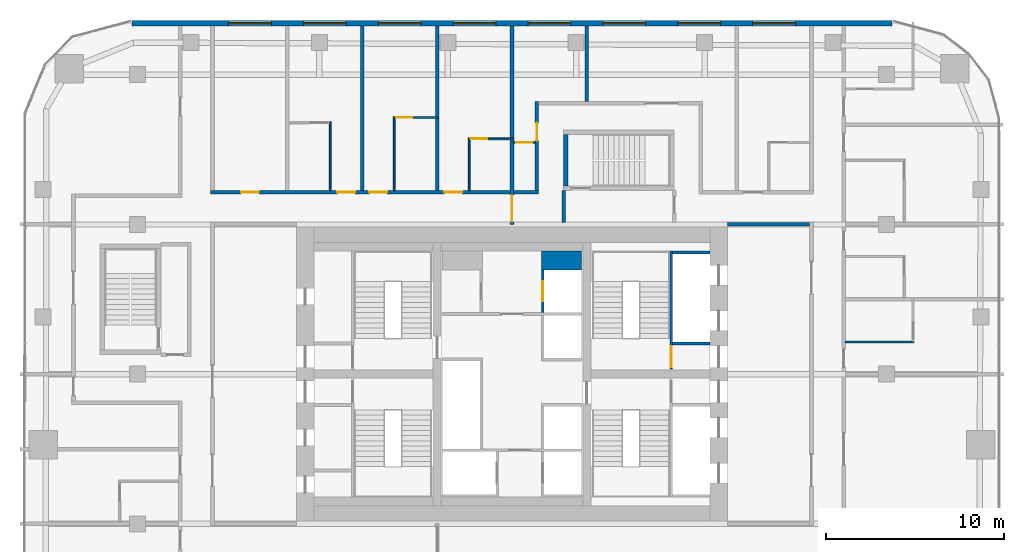
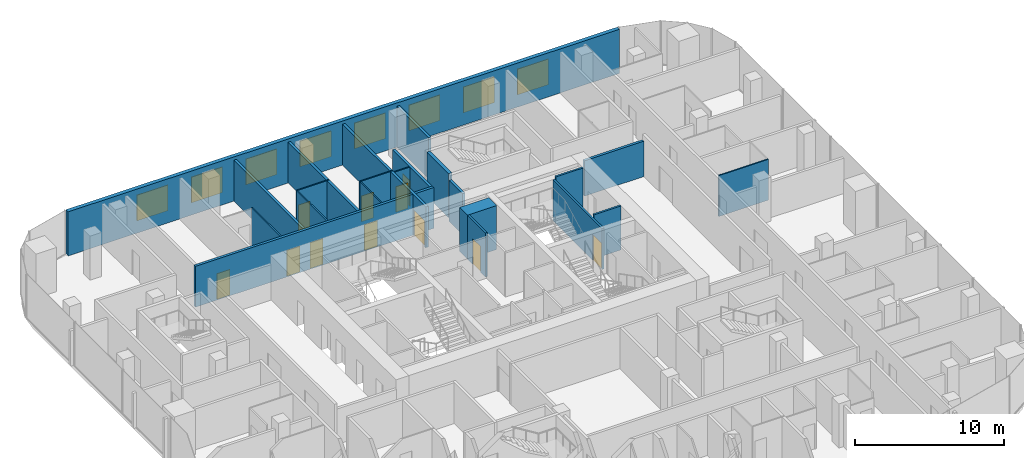
# One storey, part 19 of 23: 22 walls, 11 doors, 8 windows, 19 openings.
"""IFC4 building model written with IfcOpenShell, lengths in metres."""

import ifcopenshell
import ifcopenshell.guid

model = None  # the IFC model being written
_history = None  # IfcOwnerHistory: only IFC2X3 demands one
_inside = {}  # id of a spatial element -> (the spatial element, [elements in it])
_under = {}  # id of a project, library or spatial element -> (it, [spatial elements below it])
_declared = {}  # id of a project -> (the project, [libraries it declares])
_typed = {}  # id of a type object -> (the type object, [elements of that type])
_made_of = {}  # id of a material, layer set ... -> (it, [elements and type objects made of it])


def new_model(schema):
    """Start an empty IFC model of exactly this schema.

    Asked for "IFC4X3", IfcOpenShell would pick the latest addendum, in which some entities
    have other attributes; the version numbers below select the first issue.
    IFC2X3 requires an IfcOwnerHistory on every rooted entity: one is made here for all.
    """
    global model, _history
    if schema == "IFC4X3":
        model = ifcopenshell.file(schema_version=(4, 3, 0, 0))
    else:
        model = ifcopenshell.file(schema=schema)
    _inside.clear()
    _under.clear()
    _declared.clear()
    _typed.clear()
    _made_of.clear()
    _history = None
    if model.schema == "IFC2X3":
        org = make("IfcOrganization", Name="unknown")
        user = make(
            "IfcPersonAndOrganization",
            ThePerson=make("IfcPerson", FamilyName="unknown"),
            TheOrganization=org,
        )
        app = make(
            "IfcApplication",
            ApplicationDeveloper=org,
            Version="unknown",
            ApplicationFullName="unknown",
            ApplicationIdentifier="unknown",
        )
        _history = make(
            "IfcOwnerHistory",
            OwningUser=user,
            OwningApplication=app,
            ChangeAction="ADDED",
            CreationDate=0,
        )
    return model


def make(cls, **values):
    """One entity of the class cls with the attributes given. An attribute that is None is left unset."""
    return model.create_entity(
        cls, **{name: value for name, value in values.items() if value is not None}
    )


def rooted(cls, **values):
    """An entity with a GlobalId (a new one), such as an element, a storey or a relation."""
    return make(cls, GlobalId=ifcopenshell.guid.new(), OwnerHistory=_history, **values)


def si_unit(unit_type, name, prefix=None):
    """IfcSIUnit, for example si_unit("LENGTHUNIT", "METRE", prefix="MILLI")."""
    return make("IfcSIUnit", UnitType=unit_type, Prefix=prefix, Name=name)


def assignment(units):
    """IfcUnitAssignment: the units of a project."""
    return None if units is None else make("IfcUnitAssignment", Units=units)


def point(xyz):
    """IfcCartesianPoint."""
    return None if xyz is None else make("IfcCartesianPoint", Coordinates=xyz)


def direction(xyz):
    """IfcDirection."""
    return None if xyz is None else make("IfcDirection", DirectionRatios=xyz)


def frame(location, z_axis=None, x_axis=None):
    """IfcAxis2Placement3D, a coordinate frame: its origin and axes. An axis left out is left unset."""
    return make(
        "IfcAxis2Placement3D",
        Location=point(location),
        Axis=direction(z_axis),
        RefDirection=direction(x_axis),
    )


def frame_2d(location, x_axis=None):
    """IfcAxis2Placement2D, a coordinate frame in the plane: its origin and x axis."""
    return make(
        "IfcAxis2Placement2D", Location=point(location), RefDirection=direction(x_axis)
    )


def origin():
    """The frame at (0, 0, 0) with its axes left unset."""
    return frame((0.0, 0.0, 0.0))


def place(relative_to, where):
    """IfcLocalPlacement: puts the frame where relative to a parent placement (None: the world)."""
    return make(
        "IfcLocalPlacement", PlacementRelTo=relative_to, RelativePlacement=where
    )


def context(
    kind, dimensions, precision=None, world=None, true_north=None, identifier=None
):
    """IfcGeometricRepresentationContext, for example the 3D "Model" context."""
    return make(
        "IfcGeometricRepresentationContext",
        ContextIdentifier=identifier,
        ContextType=kind,
        CoordinateSpaceDimension=dimensions,
        Precision=precision,
        WorldCoordinateSystem=world,
        TrueNorth=true_north,
    )


def subcontext(parent, identifier, kind, view, scale=None):
    """IfcGeometricRepresentationSubContext, for example "Body" below "Model"."""
    return make(
        "IfcGeometricRepresentationSubContext",
        ContextIdentifier=identifier,
        ContextType=kind,
        ParentContext=parent,
        TargetScale=scale,
        TargetView=view,
    )


def project(units=None, contexts=None):
    """IfcProject with its units and contexts."""
    return rooted(
        "IfcProject",
        Name="project",
        RepresentationContexts=contexts,
        UnitsInContext=assignment(units),
    )


def spatial(cls, under=None, at=None, **own):
    """A site, building, storey or space (cls), placed at a placement, below another one or the project."""
    s = rooted(cls, ObjectPlacement=at, **own)
    if under is not None:
        _under.setdefault(under.id(), (under, []))[1].append(s)
    return s


def profile(cls, at=None, kind="AREA", **sizes):
    """A parametric profile (cls). Its sizes go by their IFC names, for example OverallWidth=200.0."""
    return make(cls, ProfileType=kind, Position=at, **sizes)


def rectangle(**sizes):
    """IfcRectangleProfileDef."""
    return profile("IfcRectangleProfileDef", **sizes)


def extrude(swept, where, along, depth):
    """IfcExtrudedAreaSolid: the profile swept, set in the frame where, extruded along a direction by depth."""
    return make(
        "IfcExtrudedAreaSolid",
        SweptArea=swept,
        Position=where,
        ExtrudedDirection=direction(along),
        Depth=depth,
    )


def shape(context_of_items, identifier, shape_type, items):
    """IfcShapeRepresentation: the items that make up one representation, for example the "Body"."""
    return make(
        "IfcShapeRepresentation",
        ContextOfItems=context_of_items,
        RepresentationIdentifier=identifier,
        RepresentationType=shape_type,
        Items=items,
    )


def material(Name=None, Category=None):
    """IfcMaterial."""
    return make("IfcMaterial", Name=Name, Category=Category)


def layer(
    of_material, thickness, ventilated=None, Name=None, Category=None, Priority=None
):
    """IfcMaterialLayer: one layer of a wall or slab, of a material (None: an air gap)."""
    return make(
        "IfcMaterialLayer",
        Material=of_material,
        LayerThickness=thickness,
        IsVentilated=ventilated,
        Name=Name,
        Category=Category,
        Priority=Priority,
    )


def layer_set(layers, Name=None):
    """IfcMaterialLayerSet."""
    return make("IfcMaterialLayerSet", MaterialLayers=layers, LayerSetName=Name)


def made_of(thing, what):
    """Note that an element or type object is made of a material, layer set ...; save() writes the relation."""
    if what is not None:
        _made_of.setdefault(what.id(), (what, []))[1].append(thing)
    return thing


def type_object(cls, material=None, **own):
    """A type object (cls), such as IfcWallType, which elements share."""
    return made_of(rooted(cls, **own), material)


def element(
    cls,
    number,
    at=None,
    inside=None,
    cuts=None,
    type_object=None,
    material=None,
    context=None,
    identifier="Body",
    shape_type=None,
    held_by="IfcProductDefinitionShape",
    body=None,
    shapes=None,
    **own,
):
    """One element of the class cls, such as IfcWall. Its Tag is "e" and its number.

    at: its placement. inside: the storey or other place that contains it. cuts: it is an
    opening in that element (IfcRelVoidsElement). A single representation is given by context,
    identifier, shape_type and body (its items); several are given by shapes. held_by: the class
    of the entity that holds the representations. save() writes the other relations.
    """
    e = rooted(cls, Tag="e%d" % number, ObjectPlacement=at, **own)
    if body is not None:
        shapes = [shape(context, identifier, shape_type, body)]
    if shapes is not None:
        e.Representation = make(held_by, Representations=shapes)
    if inside is not None:
        _inside.setdefault(inside.id(), (inside, []))[1].append(e)
    if cuts is not None:
        rooted(
            "IfcRelVoidsElement", RelatingBuildingElement=cuts, RelatedOpeningElement=e
        )
    if type_object is not None:
        _typed.setdefault(type_object.id(), (type_object, []))[1].append(e)
    return made_of(e, material)


def fill(opening, filler):
    """IfcRelFillsElement: the door or window that sits in an opening."""
    return rooted(
        "IfcRelFillsElement",
        RelatingOpeningElement=opening,
        RelatedBuildingElement=filler,
    )


def aggregate(whole, parts):
    """IfcRelAggregates: a whole, such as a stair, and the parts it consists of."""
    return rooted("IfcRelAggregates", RelatingObject=whole, RelatedObjects=parts)


def save(model, path):
    """Write the relations noted so far, then the file.

    IfcRelAggregates (storeys below a building ...), IfcRelContainedInSpatialStructure (elements
    in a storey), IfcRelDefinesByType, IfcRelAssociatesMaterial and IfcRelDeclares: one each for
    every whole, place, type object, material and project.
    """
    for whole, parts in _under.values():
        aggregate(whole, parts)
    for where, things in _inside.values():
        rooted(
            "IfcRelContainedInSpatialStructure",
            RelatedElements=things,
            RelatingStructure=where,
        )
    for kind, things in _typed.values():
        rooted("IfcRelDefinesByType", RelatedObjects=things, RelatingType=kind)
    for what, things in _made_of.values():
        rooted("IfcRelAssociatesMaterial", RelatedObjects=things, RelatingMaterial=what)
    for by, libraries in _declared.values():
        rooted("IfcRelDeclares", RelatingContext=by, RelatedDefinitions=libraries)
    model.write(path)


model = new_model("IFC4")

# Units and contexts
model_context = context("Model", 3, precision=1e-05, world=origin(), true_north=direction((0.0, 1.0)))
body_context = subcontext(model_context, "Body", "Model", "MODEL_VIEW")
ifc_project = project(units=[si_unit("LENGTHUNIT", "METRE"), si_unit("AREAUNIT", "SQUARE_METRE"), si_unit("VOLUMEUNIT", "CUBIC_METRE"), si_unit("PLANEANGLEUNIT", "RADIAN"), si_unit("MASSUNIT", "GRAM", prefix="KILO")], contexts=[model_context])

# Site, building, storey
site_placement = place(None, origin())
site = spatial("IfcSite", under=ifc_project, at=site_placement, CompositionType="ELEMENT")
building_placement = place(site_placement, origin())
building = spatial("IfcBuilding", under=site, at=building_placement, Name="Marenta Gate Hotel Tower", CompositionType="ELEMENT")
storey_placement = place(building_placement, frame((0.0, 0.0, 112.10009765625)))
storey = spatial("IfcBuildingStorey", under=building, at=storey_placement, Name="L24", CompositionType="ELEMENT", Elevation=112.10009765625)

# Wall, openings, windows
ifc_material_1 = material(Name="Concrete C40 board-marked", Category="concrete")
ifc_layer_1 = layer(ifc_material_1, 0.300048828125)
ifc_layer_set_1 = layer_set([ifc_layer_1], Name="Concrete C40 board-marked")
wall_type_1 = type_object("IfcWallType", Name="Board-marked concrete wall 300 mm", PredefinedType="NOTDEFINED", material=ifc_layer_set_1)
wall_1_placement = place(storey_placement, frame((21.305908203125, 28.090087890625, 0.0), z_axis=(0.0, 0.0, 1.0), x_axis=(-1.0, 0.0, 0.0)))
wall_1 = element("IfcWall", 1, at=wall_1_placement, inside=storey, type_object=wall_type_1, Name="L24-CLD-N00", PredefinedType="NOTDEFINED", context=body_context, shape_type="SweptSolid", body=[
    extrude(rectangle(XDim=42.61181640625, YDim=0.300048828125, at=frame_2d((21.305908203125, 0.0))), origin(), (0.0, 0.0, 1.0), 3.599853515625),
])
opening_1_placement = place(wall_1_placement, frame((5.406005859375, 0.0, 0.89990234375)))
opening_1 = element("IfcOpeningElement", 2, at=opening_1_placement, cuts=wall_1, Name="Opening W1", PredefinedType="OPENING", context=body_context, shape_type="SweptSolid", body=[
    extrude(rectangle(XDim=2.39990234375, YDim=2.10009765625, at=frame_2d((1.199951171875, 1.050048828125))), frame((0.0, 0.14990234375, 0.0), z_axis=(0.0, -1.0, 0.0), x_axis=(1.0, 0.0, 0.0)), (0.0, 0.0, 1.0), 0.300048828125),
])
opening_2_placement = place(wall_1_placement, frame((9.60595703125, 0.0, 0.89990234375)))
opening_2 = element("IfcOpeningElement", 3, at=opening_2_placement, cuts=wall_1, Name="Opening W1", PredefinedType="OPENING", context=body_context, shape_type="SweptSolid", body=[
    extrude(rectangle(XDim=2.39990234375, YDim=2.10009765625, at=frame_2d((1.199951171875, 1.050048828125))), frame((0.0, 0.14990234375, 0.0), z_axis=(0.0, -1.0, 0.0), x_axis=(1.0, 0.0, 0.0)), (0.0, 0.0, 1.0), 0.300048828125),
])
opening_3_placement = place(wall_1_placement, frame((13.805908203125, 0.0, 0.89990234375)))
opening_3 = element("IfcOpeningElement", 4, at=opening_3_placement, cuts=wall_1, Name="Opening W1", PredefinedType="OPENING", context=body_context, shape_type="SweptSolid", body=[
    extrude(rectangle(XDim=2.39990234375, YDim=2.10009765625, at=frame_2d((1.199951171875, 1.050048828125))), frame((0.0, 0.14990234375, 0.0), z_axis=(0.0, -1.0, 0.0), x_axis=(1.0, 0.0, 0.0)), (0.0, 0.0, 1.0), 0.300048828125),
])
opening_4_placement = place(wall_1_placement, frame((18.005859375, 0.0, 0.89990234375)))
opening_4 = element("IfcOpeningElement", 5, at=opening_4_placement, cuts=wall_1, Name="Opening W1", PredefinedType="OPENING", context=body_context, shape_type="SweptSolid", body=[
    extrude(rectangle(XDim=2.39990234375, YDim=2.10009765625, at=frame_2d((1.199951171875, 1.050048828125))), frame((0.0, 0.14990234375, 0.0), z_axis=(0.0, -1.0, 0.0), x_axis=(1.0, 0.0, 0.0)), (0.0, 0.0, 1.0), 0.300048828125),
])
opening_5_placement = place(wall_1_placement, frame((22.205810546875, 0.0, 0.89990234375)))
opening_5 = element("IfcOpeningElement", 6, at=opening_5_placement, cuts=wall_1, Name="Opening W1", PredefinedType="OPENING", context=body_context, shape_type="SweptSolid", body=[
    extrude(rectangle(XDim=2.39990234375, YDim=2.10009765625, at=frame_2d((1.199951171875, 1.050048828125))), frame((0.0, 0.14990234375, 0.0), z_axis=(0.0, -1.0, 0.0), x_axis=(1.0, 0.0, 0.0)), (0.0, 0.0, 1.0), 0.300048828125),
])
opening_6_placement = place(wall_1_placement, frame((26.406005859375, 0.0, 0.89990234375)))
opening_6 = element("IfcOpeningElement", 7, at=opening_6_placement, cuts=wall_1, Name="Opening W1", PredefinedType="OPENING", context=body_context, shape_type="SweptSolid", body=[
    extrude(rectangle(XDim=2.39990234375, YDim=2.10009765625, at=frame_2d((1.199951171875, 1.050048828125))), frame((0.0, 0.14990234375, 0.0), z_axis=(0.0, -1.0, 0.0), x_axis=(1.0, 0.0, 0.0)), (0.0, 0.0, 1.0), 0.300048828125),
])
opening_7_placement = place(wall_1_placement, frame((30.60595703125, 0.0, 0.89990234375)))
opening_7 = element("IfcOpeningElement", 8, at=opening_7_placement, cuts=wall_1, Name="Opening W1", PredefinedType="OPENING", context=body_context, shape_type="SweptSolid", body=[
    extrude(rectangle(XDim=2.39990234375, YDim=2.10009765625, at=frame_2d((1.199951171875, 1.050048828125))), frame((0.0, 0.14990234375, 0.0), z_axis=(0.0, -1.0, 0.0), x_axis=(1.0, 0.0, 0.0)), (0.0, 0.0, 1.0), 0.300048828125),
])
opening_8_placement = place(wall_1_placement, frame((34.805908203125, 0.0, 0.89990234375)))
opening_8 = element("IfcOpeningElement", 9, at=opening_8_placement, cuts=wall_1, Name="Opening W1", PredefinedType="OPENING", context=body_context, shape_type="SweptSolid", body=[
    extrude(rectangle(XDim=2.39990234375, YDim=2.10009765625, at=frame_2d((1.199951171875, 1.050048828125))), frame((0.0, 0.14990234375, 0.0), z_axis=(0.0, -1.0, 0.0), x_axis=(1.0, 0.0, 0.0)), (0.0, 0.0, 1.0), 0.300048828125),
])
ifc_material_2 = material(Name="Tinted insulated glass in bronze anodised frame", Category="glass")
window_type = type_object("IfcWindowType", Name="Window W1 2400x2100 bronze frame", PartitioningType="SINGLE_PANEL", PredefinedType="WINDOW", material=ifc_material_2)
window_1_placement = place(opening_1_placement, origin())
window_1 = element("IfcWindow", 10, at=window_1_placement, inside=storey, type_object=window_type, Name="Window W1", OverallHeight=2.10009765625, OverallWidth=2.39990234375, PartitioningType="SINGLE_PANEL", PredefinedType="WINDOW", context=body_context, shape_type="SweptSolid", body=[
    extrude(rectangle(XDim=2.39990234375, YDim=2.10009765625, at=frame_2d((1.199951171875, 1.050048828125))), frame((0.0, 0.030029296875, 0.0), z_axis=(0.0, -1.0, 0.0), x_axis=(1.0, 0.0, 0.0)), (0.0, 0.0, 1.0), 0.06005859375),
])
fill(opening_1, window_1)
window_2_placement = place(opening_2_placement, origin())
window_2 = element("IfcWindow", 11, at=window_2_placement, inside=storey, type_object=window_type, Name="Window W1", OverallHeight=2.10009765625, OverallWidth=2.39990234375, PartitioningType="SINGLE_PANEL", PredefinedType="WINDOW", context=body_context, shape_type="SweptSolid", body=[
    extrude(rectangle(XDim=2.39990234375, YDim=2.10009765625, at=frame_2d((1.199951171875, 1.050048828125))), frame((0.0, 0.030029296875, 0.0), z_axis=(0.0, -1.0, 0.0), x_axis=(1.0, 0.0, 0.0)), (0.0, 0.0, 1.0), 0.06005859375),
])
fill(opening_2, window_2)
window_3_placement = place(opening_3_placement, origin())
window_3 = element("IfcWindow", 12, at=window_3_placement, inside=storey, type_object=window_type, Name="Window W1", OverallHeight=2.10009765625, OverallWidth=2.39990234375, PartitioningType="SINGLE_PANEL", PredefinedType="WINDOW", context=body_context, shape_type="SweptSolid", body=[
    extrude(rectangle(XDim=2.39990234375, YDim=2.10009765625, at=frame_2d((1.199951171875, 1.050048828125))), frame((0.0, 0.030029296875, 0.0), z_axis=(0.0, -1.0, 0.0), x_axis=(1.0, 0.0, 0.0)), (0.0, 0.0, 1.0), 0.06005859375),
])
fill(opening_3, window_3)
window_4_placement = place(opening_4_placement, origin())
window_4 = element("IfcWindow", 13, at=window_4_placement, inside=storey, type_object=window_type, Name="Window W1", OverallHeight=2.10009765625, OverallWidth=2.39990234375, PartitioningType="SINGLE_PANEL", PredefinedType="WINDOW", context=body_context, shape_type="SweptSolid", body=[
    extrude(rectangle(XDim=2.39990234375, YDim=2.10009765625, at=frame_2d((1.199951171875, 1.050048828125))), frame((0.0, 0.030029296875, 0.0), z_axis=(0.0, -1.0, 0.0), x_axis=(1.0, 0.0, 0.0)), (0.0, 0.0, 1.0), 0.06005859375),
])
fill(opening_4, window_4)
window_5_placement = place(opening_5_placement, origin())
window_5 = element("IfcWindow", 14, at=window_5_placement, inside=storey, type_object=window_type, Name="Window W1", OverallHeight=2.10009765625, OverallWidth=2.39990234375, PartitioningType="SINGLE_PANEL", PredefinedType="WINDOW", context=body_context, shape_type="SweptSolid", body=[
    extrude(rectangle(XDim=2.39990234375, YDim=2.10009765625, at=frame_2d((1.199951171875, 1.050048828125))), frame((0.0, 0.030029296875, 0.0), z_axis=(0.0, -1.0, 0.0), x_axis=(1.0, 0.0, 0.0)), (0.0, 0.0, 1.0), 0.06005859375),
])
fill(opening_5, window_5)
window_6_placement = place(opening_6_placement, origin())
window_6 = element("IfcWindow", 15, at=window_6_placement, inside=storey, type_object=window_type, Name="Window W1", OverallHeight=2.10009765625, OverallWidth=2.39990234375, PartitioningType="SINGLE_PANEL", PredefinedType="WINDOW", context=body_context, shape_type="SweptSolid", body=[
    extrude(rectangle(XDim=2.39990234375, YDim=2.10009765625, at=frame_2d((1.199951171875, 1.050048828125))), frame((0.0, 0.030029296875, 0.0), z_axis=(0.0, -1.0, 0.0), x_axis=(1.0, 0.0, 0.0)), (0.0, 0.0, 1.0), 0.06005859375),
])
fill(opening_6, window_6)
window_7_placement = place(opening_7_placement, origin())
window_7 = element("IfcWindow", 16, at=window_7_placement, inside=storey, type_object=window_type, Name="Window W1", OverallHeight=2.10009765625, OverallWidth=2.39990234375, PartitioningType="SINGLE_PANEL", PredefinedType="WINDOW", context=body_context, shape_type="SweptSolid", body=[
    extrude(rectangle(XDim=2.39990234375, YDim=2.10009765625, at=frame_2d((1.199951171875, 1.050048828125))), frame((0.0, 0.030029296875, 0.0), z_axis=(0.0, -1.0, 0.0), x_axis=(1.0, 0.0, 0.0)), (0.0, 0.0, 1.0), 0.06005859375),
])
fill(opening_7, window_7)
window_8_placement = place(opening_8_placement, origin())
window_8 = element("IfcWindow", 17, at=window_8_placement, inside=storey, type_object=window_type, Name="Window W1", OverallHeight=2.10009765625, OverallWidth=2.39990234375, PartitioningType="SINGLE_PANEL", PredefinedType="WINDOW", context=body_context, shape_type="SweptSolid", body=[
    extrude(rectangle(XDim=2.39990234375, YDim=2.10009765625, at=frame_2d((1.199951171875, 1.050048828125))), frame((0.0, 0.030029296875, 0.0), z_axis=(0.0, -1.0, 0.0), x_axis=(1.0, 0.0, 0.0)), (0.0, 0.0, 1.0), 0.06005859375),
])
fill(opening_8, window_8)

# Wall, opening, door
ifc_material_3 = material(Name="Concrete blockwork", Category="masonry")
ifc_layer_2 = layer(ifc_material_3, 0.199951171875)
ifc_layer_set_2 = layer_set([ifc_layer_2], Name="Concrete blockwork")
wall_type_2 = type_object("IfcWallType", Name="Compartment wall 200 REI 180", PredefinedType="PARTITIONING", material=ifc_layer_set_2)
wall_2_placement = place(storey_placement, frame((0.0, 16.800048828125, 0.0), z_axis=(0.0, 0.0, 1.0), x_axis=(0.0, 1.0, 0.0)))
wall_2 = element("IfcWall", 18, at=wall_2_placement, inside=storey, type_object=wall_type_2, Name="L24-PTN-W072", PredefinedType="PARTITIONING", context=body_context, shape_type="SweptSolid", body=[
    extrude(rectangle(XDim=11.139892578125, YDim=0.199951171875, at=frame_2d((5.56982421875, 0.0))), origin(), (0.0, 0.0, 1.0), 3.33984375),
])
opening_9_placement = place(wall_2_placement, frame((0.14990234375, 0.0, 0.0)))
opening_9 = element("IfcOpeningElement", 19, at=opening_9_placement, cuts=wall_2, Name="Opening G08-FD1", PredefinedType="OPENING", context=body_context, shape_type="SweptSolid", body=[
    extrude(rectangle(XDim=1.5, YDim=2.10009765625, at=frame_2d((0.75, 1.050048828125))), frame((0.0, 0.10009765625, 0.0), z_axis=(0.0, -1.0, 0.0), x_axis=(1.0, 0.0, 0.0)), (0.0, 0.0, 1.0), 0.199951171875),
])
ifc_material_4 = material(Name="Hollow steel door set", Category="steel")
door_type_1 = type_object("IfcDoorType", Name="Compartment fire door 1500x2100 EI 60", OperationType="DOUBLE_DOOR_DOUBLE_SWING", PredefinedType="DOOR", material=ifc_material_4)
door_1_placement = place(opening_9_placement, origin())
door_1 = element("IfcDoor", 20, at=door_1_placement, inside=storey, type_object=door_type_1, Name="L24-PD-FD01", OperationType="DOUBLE_DOOR_DOUBLE_SWING", OverallHeight=2.10009765625, OverallWidth=1.5, PredefinedType="DOOR", context=body_context, shape_type="SweptSolid", body=[
    extrude(rectangle(XDim=1.5, YDim=2.10009765625, at=frame_2d((0.75, 1.050048828125))), frame((0.0, 0.02490234375, 0.0), z_axis=(0.0, -1.0, 0.0), x_axis=(1.0, 0.0, 0.0)), (0.0, 0.0, 1.0), 0.050048828125),
])
fill(opening_9, door_1)

# Walls
ifc_material_5 = material(Name="Concrete blockwork", Category="masonry")
ifc_layer_3 = layer(ifc_material_5, 0.199951171875)
ifc_layer_set_3 = layer_set([ifc_layer_3], Name="Concrete blockwork")
wall_type_3 = type_object("IfcWallType", Name="Core boundary wall 200 REI 180", PredefinedType="PARTITIONING", material=ifc_layer_set_3)
wall_3_placement = place(storey_placement, frame((12.10009765625, 16.800048828125, 0.0), z_axis=(0.0, 0.0, 1.0), x_axis=(1.0, 0.0, 0.0)))
element("IfcWall", 21, at=wall_3_placement, inside=storey, type_object=wall_type_3, Name="L24-CP-EW-EN", PredefinedType="PARTITIONING", context=body_context, shape_type="SweptSolid", body=[
    extrude(rectangle(XDim=4.599853515625, YDim=0.199951171875, at=frame_2d((2.2998046875, 0.0))), origin(), (0.0, 0.0, 1.0), 2.889892578125),
])
ifc_material_6 = material(Name="Concrete C40", Category="concrete")
ifc_layer_4 = layer(ifc_material_6, 1.050048828125)
ifc_layer_set_4 = layer_set([ifc_layer_4], Name="Concrete C40")
wall_type_4 = type_object("IfcWallType", Name="Core shaft wall 1050 REI 180", PredefinedType="SHEAR", material=ifc_layer_set_4)
wall_4_placement = place(storey_placement, frame((1.64990234375, 14.77490234375, 0.0), z_axis=(0.0, 0.0, 1.0), x_axis=(1.0, 0.0, 0.0)))
element("IfcWall", 22, at=wall_4_placement, inside=storey, type_object=wall_type_4, Name="L24-SHF-CE-N-top", PredefinedType="SHEAR", context=body_context, shape_type="SweptSolid", body=[
    extrude(rectangle(XDim=2.25, YDim=1.050048828125, at=frame_2d((1.125, 0.0))), origin(), (0.0, 0.0, 1.0), 3.599853515625),
])
ifc_material_7 = material(Name="Concrete C40", Category="concrete")
ifc_layer_5 = layer(ifc_material_7, 0.14990234375)
ifc_layer_set_5 = layer_set([ifc_layer_5], Name="Concrete C40")
wall_type_5 = type_object("IfcWallType", Name="Core shaft wall 150 REI 180", PredefinedType="SHEAR", material=ifc_layer_set_5)
for number, where, z_axis, x_axis, name in (
    (23, (9.0, 10.125, 0.0), (0.0, 0.0, 1.0), (1.0, 0.0, 0.0), "L24-SHF-SW-EN-2"),
    (24, (9.0, 15.22509765625, 0.0), (0.0, 0.0, 1.0), (1.0, 0.0, 0.0), "L24-SHF-SW-EN-5"),
):
    element("IfcWall", number, at=place(storey_placement, frame(where, z_axis=z_axis, x_axis=x_axis)), inside=storey, type_object=wall_type_5, Name=name, PredefinedType="SHEAR", context=body_context, shape_type="SweptSolid", body=[
        extrude(rectangle(XDim=2.10009765625, YDim=0.14990234375, at=frame_2d((1.050048828125, 0.0))), origin(), (0.0, 0.0, 1.0), 3.599853515625),
    ])

# Wall, opening, door
wall_5_placement = place(storey_placement, frame((1.72509765625, 11.85009765625, 0.0), z_axis=(0.0, 0.0, 1.0), x_axis=(0.0, 1.0, 0.0)))
wall_5 = element("IfcWall", 25, at=wall_5_placement, inside=storey, type_object=wall_type_5, Name="L24-SHF-CE-N-front2", PredefinedType="SHEAR", context=body_context, shape_type="SweptSolid", body=[
    extrude(rectangle(XDim=2.39990234375, YDim=0.14990234375, at=frame_2d((1.199951171875, 0.0))), origin(), (0.0, 0.0, 1.0), 3.599853515625),
])
opening_10_placement = place(wall_5_placement, frame((0.64990234375, 0.0, 0.0)))
opening_10 = element("IfcOpeningElement", 26, at=opening_10_placement, cuts=wall_5, Name="Opening LD-FF2", PredefinedType="OPENING", context=body_context, shape_type="SweptSolid", body=[
    extrude(rectangle(XDim=1.10009765625, YDim=2.10009765625, at=frame_2d((0.550048828125, 1.050048828125))), frame((0.0, 0.074951171875, 0.0), z_axis=(0.0, -1.0, 0.0), x_axis=(1.0, 0.0, 0.0)), (0.0, 0.0, 1.0), 0.14990234375),
])
ifc_material_8 = material(Name="Steel", Category="steel")
door_type_2 = type_object("IfcDoorType", Name="Core lift landing door 1100x2100 E 60", OperationType="SLIDING_TO_LEFT", PredefinedType="DOOR", material=ifc_material_8)
door_2_placement = place(opening_10_placement, origin())
door_2 = element("IfcDoor", 27, at=door_2_placement, inside=storey, type_object=door_type_2, Name="LD-FF2", OperationType="SLIDING_TO_LEFT", OverallHeight=2.10009765625, OverallWidth=1.10009765625, PredefinedType="DOOR", context=body_context, shape_type="SweptSolid", body=[
    extrude(rectangle(XDim=1.10009765625, YDim=2.10009765625, at=frame_2d((0.550048828125, 1.050048828125))), frame((0.0, 0.02490234375, 0.0), z_axis=(0.0, -1.0, 0.0), x_axis=(1.0, 0.0, 0.0)), (0.0, 0.0, 1.0), 0.050048828125),
])
fill(opening_10, door_2)

ifc_material_9 = material(Name="Concrete C40", Category="concrete")
ifc_layer_6 = layer(ifc_material_9, 0.14990234375)
ifc_layer_set_6 = layer_set([ifc_layer_6], Name="Concrete C40")
wall_type_6 = type_object("IfcWallType", Name="Core stair enclosure wall 150 REI 180", PredefinedType="SHEAR", material=ifc_layer_set_6)
wall_6_placement = place(storey_placement, frame((8.925048828125, 8.699951171875, 0.0), z_axis=(0.0, 0.0, 1.0), x_axis=(0.0, 1.0, 0.0)))
wall_6 = element("IfcWall", 28, at=wall_6_placement, inside=storey, type_object=wall_type_6, Name="L24-SHF-SW-EN-3", PredefinedType="SHEAR", context=body_context, shape_type="SweptSolid", body=[
    extrude(rectangle(XDim=6.60009765625, YDim=0.14990234375, at=frame_2d((3.300048828125, 0.0))), origin(), (0.0, 0.0, 1.0), 3.33984375),
])
opening_11_placement = place(wall_6_placement, frame((0.074951171875, 0.0, 0.0)))
opening_11 = element("IfcOpeningElement", 29, at=opening_11_placement, cuts=wall_6, Name="Opening SD-EN", PredefinedType="OPENING", context=body_context, shape_type="SweptSolid", body=[
    extrude(rectangle(XDim=1.199951171875, YDim=2.10009765625, at=frame_2d((0.60009765625, 1.050048828125))), frame((0.0, 0.074951171875, 0.0), z_axis=(0.0, -1.0, 0.0), x_axis=(1.0, 0.0, 0.0)), (0.0, 0.0, 1.0), 0.14990234375),
])
ifc_material_10 = material(Name="Steel", Category="steel")
door_type_3 = type_object("IfcDoorType", Name="Core stair door 1200x2100 FD60", OperationType="SINGLE_SWING_LEFT", PredefinedType="DOOR", material=ifc_material_10)
door_3_placement = place(opening_11_placement, origin())
door_3 = element("IfcDoor", 30, at=door_3_placement, inside=storey, type_object=door_type_3, Name="SD-EN", OperationType="SINGLE_SWING_LEFT", OverallHeight=2.10009765625, OverallWidth=1.199951171875, PredefinedType="DOOR", context=body_context, shape_type="SweptSolid", body=[
    extrude(rectangle(XDim=1.199951171875, YDim=2.10009765625, at=frame_2d((0.60009765625, 1.050048828125))), frame((0.0, 0.02490234375, 0.0), z_axis=(0.0, -1.0, 0.0), x_axis=(1.0, 0.0, 0.0)), (0.0, 0.0, 1.0), 0.050048828125),
])
fill(opening_11, door_3)

# Wall
ifc_material_11 = material(Name="Concrete C40", Category="concrete")
ifc_layer_7 = layer(ifc_material_11, 0.25)
ifc_layer_set_7 = layer_set([ifc_layer_7], Name="Concrete C40")
wall_type_7 = type_object("IfcWallType", Name="Remote stair enclosure wall 250 REI 180", PredefinedType="SHEAR", material=ifc_layer_set_7)
wall_7_placement = place(storey_placement, frame((3.02490234375, 18.949951171875, 0.099853515625), z_axis=(0.0, 0.0, 1.0), x_axis=(0.0, 1.0, 0.0)))
element("IfcWall", 31, at=wall_7_placement, inside=storey, type_object=wall_type_7, Name="L24-RS-Z2-4-W3", PredefinedType="SHEAR", context=body_context, shape_type="SweptSolid", body=[
    extrude(rectangle(XDim=2.900146484375, YDim=0.25, at=frame_2d((1.4501953125, 0.0))), origin(), (0.0, 0.0, 1.0), 3.60009765625),
])

# Wall, opening, door
ifc_material_12 = material(Name="Gypsum board on steel stud", Category="steel")
ifc_layer_8 = layer(ifc_material_12, 0.199951171875)
ifc_layer_set_8 = layer_set([ifc_layer_8], Name="Gypsum board on steel stud")
wall_type_8 = type_object("IfcWallType", Name="Room corridor wall 200 EI 60", PredefinedType="PARTITIONING", material=ifc_layer_set_8)
wall_8_placement = place(storey_placement, frame((1.39990234375, 18.699951171875, 0.0), z_axis=(0.0, 0.0, 1.0), x_axis=(0.0, 1.0, 0.0)))
wall_8 = element("IfcWall", 32, at=wall_8_placement, inside=storey, type_object=wall_type_8, Name="L24-PTN-W070", PredefinedType="PARTITIONING", context=body_context, shape_type="SweptSolid", body=[
    extrude(rectangle(XDim=5.0, YDim=0.199951171875, at=frame_2d((2.5, 0.0))), origin(), (0.0, 0.0, 1.0), 3.33984375),
])
opening_12_placement = place(wall_8_placement, frame((2.800048828125, 0.0, 0.0)))
opening_12 = element("IfcOpeningElement", 33, at=opening_12_placement, cuts=wall_8, Name="Opening G08-32", PredefinedType="OPENING", context=body_context, shape_type="SweptSolid", body=[
    extrude(rectangle(XDim=1.0, YDim=2.10009765625, at=frame_2d((0.5, 1.050048828125))), frame((0.0, 0.10009765625, 0.0), z_axis=(0.0, -1.0, 0.0), x_axis=(1.0, 0.0, 0.0)), (0.0, 0.0, 1.0), 0.199951171875),
])
ifc_material_13 = material(Name="Timber door leaf", Category="wood")
door_type_4 = type_object("IfcDoorType", Name="Guest room door 1000x2100 EI 30", OperationType="NOTDEFINED", PredefinedType="DOOR", material=ifc_material_13)
door_4_placement = place(opening_12_placement, origin())
door_4 = element("IfcDoor", 34, at=door_4_placement, inside=storey, type_object=door_type_4, Name="L24-PD-D032", OperationType="SINGLE_SWING_RIGHT", OverallHeight=2.10009765625, OverallWidth=1.0, PredefinedType="DOOR", context=body_context, shape_type="SweptSolid", body=[
    extrude(rectangle(XDim=1.0, YDim=2.10009765625, at=frame_2d((0.5, 1.050048828125))), frame((0.0, 0.02490234375, 0.0), z_axis=(0.0, -1.0, 0.0), x_axis=(1.0, 0.0, 0.0)), (0.0, 0.0, 1.0), 0.050048828125),
])
fill(opening_12, door_4)

# Wall, openings, doors
wall_9_placement = place(storey_placement, frame((-16.89990234375, 18.60009765625, 0.0), z_axis=(0.0, 0.0, 1.0), x_axis=(1.0, 0.0, 0.0)))
wall_9 = element("IfcWall", 35, at=wall_9_placement, inside=storey, type_object=wall_type_8, Name="L24-PTN-W112", PredefinedType="PARTITIONING", context=body_context, shape_type="SweptSolid", body=[
    extrude(rectangle(XDim=18.39990234375, YDim=0.199951171875, at=frame_2d((9.199951171875, 0.0))), origin(), (0.0, 0.0, 1.0), 3.33984375),
])
opening_13_placement = place(wall_9_placement, frame((1.699951171875, 0.0, 0.0)))
opening_13 = element("IfcOpeningElement", 36, at=opening_13_placement, cuts=wall_9, Name="Opening G08-25", PredefinedType="OPENING", context=body_context, shape_type="SweptSolid", body=[
    extrude(rectangle(XDim=1.0, YDim=2.10009765625, at=frame_2d((0.5, 1.050048828125))), frame((0.0, 0.10009765625, 0.0), z_axis=(0.0, -1.0, 0.0), x_axis=(1.0, 0.0, 0.0)), (0.0, 0.0, 1.0), 0.199951171875),
])
opening_14_placement = place(wall_9_placement, frame((7.10009765625, 0.0, 0.0)))
opening_14 = element("IfcOpeningElement", 37, at=opening_14_placement, cuts=wall_9, Name="Opening G08-26", PredefinedType="OPENING", context=body_context, shape_type="SweptSolid", body=[
    extrude(rectangle(XDim=1.0, YDim=2.10009765625, at=frame_2d((0.5, 1.050048828125))), frame((0.0, 0.10009765625, 0.0), z_axis=(0.0, -1.0, 0.0), x_axis=(1.0, 0.0, 0.0)), (0.0, 0.0, 1.0), 0.199951171875),
])
opening_15_placement = place(wall_9_placement, frame((8.89990234375, 0.0, 0.0)))
opening_15 = element("IfcOpeningElement", 38, at=opening_15_placement, cuts=wall_9, Name="Opening G08-28", PredefinedType="OPENING", context=body_context, shape_type="SweptSolid", body=[
    extrude(rectangle(XDim=1.0, YDim=2.10009765625, at=frame_2d((0.5, 1.050048828125))), frame((0.0, 0.10009765625, 0.0), z_axis=(0.0, -1.0, 0.0), x_axis=(1.0, 0.0, 0.0)), (0.0, 0.0, 1.0), 0.199951171875),
])
opening_16_placement = place(wall_9_placement, frame((13.10009765625, 0.0, 0.0)))
opening_16 = element("IfcOpeningElement", 39, at=opening_16_placement, cuts=wall_9, Name="Opening G08-30", PredefinedType="OPENING", context=body_context, shape_type="SweptSolid", body=[
    extrude(rectangle(XDim=1.0, YDim=2.10009765625, at=frame_2d((0.5, 1.050048828125))), frame((0.0, 0.10009765625, 0.0), z_axis=(0.0, -1.0, 0.0), x_axis=(1.0, 0.0, 0.0)), (0.0, 0.0, 1.0), 0.199951171875),
])
door_5_placement = place(opening_14_placement, origin())
door_5 = element("IfcDoor", 40, at=door_5_placement, inside=storey, type_object=door_type_4, Name="L24-PD-D026", OperationType="SINGLE_SWING_LEFT", OverallHeight=2.10009765625, OverallWidth=1.0, PredefinedType="DOOR", context=body_context, shape_type="SweptSolid", body=[
    extrude(rectangle(XDim=1.0, YDim=2.10009765625, at=frame_2d((0.5, 1.050048828125))), frame((0.0, 0.02490234375, 0.0), z_axis=(0.0, -1.0, 0.0), x_axis=(1.0, 0.0, 0.0)), (0.0, 0.0, 1.0), 0.050048828125),
])
fill(opening_14, door_5)
door_6_placement = place(opening_15_placement, origin())
door_6 = element("IfcDoor", 41, at=door_6_placement, inside=storey, type_object=door_type_4, Name="L24-PD-D028", OperationType="SINGLE_SWING_LEFT", OverallHeight=2.10009765625, OverallWidth=1.0, PredefinedType="DOOR", context=body_context, shape_type="SweptSolid", body=[
    extrude(rectangle(XDim=1.0, YDim=2.10009765625, at=frame_2d((0.5, 1.050048828125))), frame((0.0, 0.02490234375, 0.0), z_axis=(0.0, -1.0, 0.0), x_axis=(1.0, 0.0, 0.0)), (0.0, 0.0, 1.0), 0.050048828125),
])
fill(opening_15, door_6)
door_7_placement = place(opening_16_placement, origin())
door_7 = element("IfcDoor", 42, at=door_7_placement, inside=storey, type_object=door_type_4, Name="L24-PD-D030", OperationType="SINGLE_SWING_LEFT", OverallHeight=2.10009765625, OverallWidth=1.0, PredefinedType="DOOR", context=body_context, shape_type="SweptSolid", body=[
    extrude(rectangle(XDim=1.0, YDim=2.10009765625, at=frame_2d((0.5, 1.050048828125))), frame((0.0, 0.02490234375, 0.0), z_axis=(0.0, -1.0, 0.0), x_axis=(1.0, 0.0, 0.0)), (0.0, 0.0, 1.0), 0.050048828125),
])
fill(opening_16, door_7)
ifc_material_14 = material(Name="Timber door leaf", Category="wood")
door_type_5 = type_object("IfcDoorType", Name="Room amenity door 1000x2100 EI 30", OperationType="NOTDEFINED", PredefinedType="DOOR", material=ifc_material_14)
door_8_placement = place(opening_13_placement, origin())
door_8 = element("IfcDoor", 43, at=door_8_placement, inside=storey, type_object=door_type_5, Name="L24-PD-D025", OperationType="SINGLE_SWING_RIGHT", OverallHeight=2.10009765625, OverallWidth=1.0, PredefinedType="DOOR", context=body_context, shape_type="SweptSolid", body=[
    extrude(rectangle(XDim=1.0, YDim=2.10009765625, at=frame_2d((0.5, 1.050048828125))), frame((0.0, 0.02490234375, 0.0), z_axis=(0.0, -1.0, 0.0), x_axis=(1.0, 0.0, 0.0)), (0.0, 0.0, 1.0), 0.050048828125),
])
fill(opening_13, door_8)

# Walls
ifc_material_15 = material(Name="Concrete blockwork", Category="masonry")
ifc_layer_9 = layer(ifc_material_15, 0.199951171875)
ifc_layer_set_9 = layer_set([ifc_layer_9], Name="Concrete blockwork")
wall_type_9 = type_object("IfcWallType", Name="Room corridor wall 200 REI 180", PredefinedType="PARTITIONING", material=ifc_layer_set_9)
wall_10_placement = place(storey_placement, frame((2.89990234375, 16.89990234375, 0.0), z_axis=(0.0, 0.0, 1.0), x_axis=(0.0, 1.0, 0.0)))
element("IfcWall", 44, at=wall_10_placement, inside=storey, type_object=wall_type_9, Name="L24-PTN-W063", PredefinedType="PARTITIONING", context=body_context, shape_type="SweptSolid", body=[
    extrude(rectangle(XDim=1.800048828125, YDim=0.199951171875, at=frame_2d((0.89990234375, 0.0))), origin(), (0.0, 0.0, 1.0), 3.33984375),
])
ifc_material_16 = material(Name="Gypsum board on steel stud", Category="steel")
ifc_layer_10 = layer(ifc_material_16, 0.10009765625)
ifc_layer_set_10 = layer_set([ifc_layer_10], Name="Gypsum board on steel stud")
wall_type_10 = type_object("IfcWallType", Name="Room partition 100", PredefinedType="PARTITIONING", material=ifc_layer_set_10)
wall_11_placement = place(storey_placement, frame((-2.39990234375, 18.699951171875, 0.0), z_axis=(0.0, 0.0, 1.0), x_axis=(0.0, 1.0, 0.0)))
element("IfcWall", 45, at=wall_11_placement, inside=storey, type_object=wall_type_10, Name="L24-PTN-W076", PredefinedType="PARTITIONING", context=body_context, shape_type="SweptSolid", body=[
    extrude(rectangle(XDim=2.85009765625, YDim=0.10009765625, at=frame_2d((1.425048828125, 0.0))), origin(), (0.0, 0.0, 1.0), 3.33984375),
])
wall_12_placement = place(storey_placement, frame((-6.60009765625, 18.699951171875, 0.0), z_axis=(0.0, 0.0, 1.0), x_axis=(0.0, 1.0, 0.0)))
element("IfcWall", 46, at=wall_12_placement, inside=storey, type_object=wall_type_10, Name="L24-PTN-W084", PredefinedType="PARTITIONING", context=body_context, shape_type="SweptSolid", body=[
    extrude(rectangle(XDim=4.050048828125, YDim=0.10009765625, at=frame_2d((2.02490234375, 0.0))), origin(), (0.0, 0.0, 1.0), 3.33984375),
])
for number, where, z_axis, x_axis, name in (
    (47, (-10.199951171875, 18.699951171875, 0.0), (0.0, 0.0, 1.0), (0.0, 1.0, 0.0), "L24-PTN-W092"),
    (48, (18.699951171875, 10.199951171875, 0.0), (0.0, 0.0, 1.0), (1.0, 0.0, 0.0), "L24-PTN-W093"),
):
    element("IfcWall", number, at=place(storey_placement, frame(where, z_axis=z_axis, x_axis=x_axis)), inside=storey, type_object=wall_type_10, Name=name, PredefinedType="PARTITIONING", context=body_context, shape_type="SweptSolid", body=[
        extrude(rectangle(XDim=3.85009765625, YDim=0.10009765625, at=frame_2d((1.925048828125, 0.0))), origin(), (0.0, 0.0, 1.0), 3.33984375),
    ])

# Wall, opening, door
wall_13_placement = place(storey_placement, frame((0.10009765625, 21.39990234375, 0.0), z_axis=(0.0, 0.0, 1.0), x_axis=(1.0, 0.0, 0.0)))
wall_13 = element("IfcWall", 49, at=wall_13_placement, inside=storey, type_object=wall_type_10, Name="L24-PTN-W116", PredefinedType="PARTITIONING", context=body_context, shape_type="SweptSolid", body=[
    extrude(rectangle(XDim=1.199951171875, YDim=0.10009765625, at=frame_2d((0.60009765625, 0.0))), origin(), (0.0, 0.0, 1.0), 3.33984375),
])
opening_17_placement = place(wall_13_placement, frame((0.14990234375, 0.0, 0.0)))
opening_17 = element("IfcOpeningElement", 50, at=opening_17_placement, cuts=wall_13, Name="Opening G08-33", PredefinedType="OPENING", context=body_context, shape_type="SweptSolid", body=[
    extrude(rectangle(XDim=0.89990234375, YDim=2.10009765625, at=frame_2d((0.449951171875, 1.050048828125))), frame((0.0, 0.050048828125, 0.0), z_axis=(0.0, -1.0, 0.0), x_axis=(1.0, 0.0, 0.0)), (0.0, 0.0, 1.0), 0.10009765625),
])
ifc_material_17 = material(Name="Timber door leaf", Category="wood")
door_type_6 = type_object("IfcDoorType", Name="Guest bathroom door 900x2100", OperationType="NOTDEFINED", PredefinedType="DOOR", material=ifc_material_17)
door_9_placement = place(opening_17_placement, origin())
door_9 = element("IfcDoor", 51, at=door_9_placement, inside=storey, type_object=door_type_6, Name="L24-PD-D033", OperationType="SINGLE_SWING_LEFT", OverallHeight=2.10009765625, OverallWidth=0.89990234375, PredefinedType="DOOR", context=body_context, shape_type="SweptSolid", body=[
    extrude(rectangle(XDim=0.89990234375, YDim=2.10009765625, at=frame_2d((0.449951171875, 1.050048828125))), frame((0.0, 0.02490234375, 0.0), z_axis=(0.0, -1.0, 0.0), x_axis=(1.0, 0.0, 0.0)), (0.0, 0.0, 1.0), 0.050048828125),
])
fill(opening_17, door_9)

wall_14_placement = place(storey_placement, frame((-2.449951171875, 21.60009765625, 0.0), z_axis=(0.0, 0.0, 1.0), x_axis=(1.0, 0.0, 0.0)))
wall_14 = element("IfcWall", 52, at=wall_14_placement, inside=storey, type_object=wall_type_10, Name="L24-PTN-W118", PredefinedType="PARTITIONING", context=body_context, shape_type="SweptSolid", body=[
    extrude(rectangle(XDim=2.550048828125, YDim=0.10009765625, at=frame_2d((1.27490234375, 0.0))), origin(), (0.0, 0.0, 1.0), 3.33984375),
])
opening_18_placement = place(wall_14_placement, frame((0.14990234375, 0.0, 0.0)))
opening_18 = element("IfcOpeningElement", 53, at=opening_18_placement, cuts=wall_14, Name="Opening G08-31", PredefinedType="OPENING", context=body_context, shape_type="SweptSolid", body=[
    extrude(rectangle(XDim=0.89990234375, YDim=2.10009765625, at=frame_2d((0.449951171875, 1.050048828125))), frame((0.0, 0.050048828125, 0.0), z_axis=(0.0, -1.0, 0.0), x_axis=(1.0, 0.0, 0.0)), (0.0, 0.0, 1.0), 0.10009765625),
])
door_10_placement = place(opening_18_placement, origin())
door_10 = element("IfcDoor", 54, at=door_10_placement, inside=storey, type_object=door_type_6, Name="L24-PD-D031", OperationType="SINGLE_SWING_RIGHT", OverallHeight=2.10009765625, OverallWidth=0.89990234375, PredefinedType="DOOR", context=body_context, shape_type="SweptSolid", body=[
    extrude(rectangle(XDim=0.89990234375, YDim=2.10009765625, at=frame_2d((0.449951171875, 1.050048828125))), frame((0.0, 0.02490234375, 0.0), z_axis=(0.0, -1.0, 0.0), x_axis=(1.0, 0.0, 0.0)), (0.0, 0.0, 1.0), 0.050048828125),
])
fill(opening_18, door_10)

wall_15_placement = place(storey_placement, frame((-6.64990234375, 22.800048828125, 0.0), z_axis=(0.0, 0.0, 1.0), x_axis=(1.0, 0.0, 0.0)))
wall_15 = element("IfcWall", 55, at=wall_15_placement, inside=storey, type_object=wall_type_10, Name="L24-PTN-W126", PredefinedType="PARTITIONING", context=body_context, shape_type="SweptSolid", body=[
    extrude(rectangle(XDim=2.5498046875, YDim=0.10009765625, at=frame_2d((1.27490234375, 0.0))), origin(), (0.0, 0.0, 1.0), 3.33984375),
])
opening_19_placement = place(wall_15_placement, frame((0.14990234375, 0.0, 0.0)))
opening_19 = element("IfcOpeningElement", 56, at=opening_19_placement, cuts=wall_15, Name="Opening G08-29", PredefinedType="OPENING", context=body_context, shape_type="SweptSolid", body=[
    extrude(rectangle(XDim=0.89990234375, YDim=2.10009765625, at=frame_2d((0.449951171875, 1.050048828125))), frame((0.0, 0.050048828125, 0.0), z_axis=(0.0, -1.0, 0.0), x_axis=(1.0, 0.0, 0.0)), (0.0, 0.0, 1.0), 0.10009765625),
])
door_11_placement = place(opening_19_placement, origin())
door_11 = element("IfcDoor", 57, at=door_11_placement, inside=storey, type_object=door_type_6, Name="L24-PD-D029", OperationType="SINGLE_SWING_RIGHT", OverallHeight=2.10009765625, OverallWidth=0.89990234375, PredefinedType="DOOR", context=body_context, shape_type="SweptSolid", body=[
    extrude(rectangle(XDim=0.89990234375, YDim=2.10009765625, at=frame_2d((0.449951171875, 1.050048828125))), frame((0.0, 0.02490234375, 0.0), z_axis=(0.0, -1.0, 0.0), x_axis=(1.0, 0.0, 0.0)), (0.0, 0.0, 1.0), 0.050048828125),
])
fill(opening_19, door_11)

# Walls
ifc_material_18 = material(Name="Gypsum board on steel stud", Category="steel")
ifc_layer_11 = layer(ifc_material_18, 0.199951171875)
ifc_layer_set_11 = layer_set([ifc_layer_11], Name="Gypsum board on steel stud")
wall_type_11 = type_object("IfcWallType", Name="Room party wall 200 EI 60", PredefinedType="PARTITIONING", material=ifc_layer_set_11)
wall_16_placement = place(storey_placement, frame((4.199951171875, 23.699951171875, 0.0), z_axis=(0.0, 0.0, 1.0), x_axis=(0.0, 1.0, 0.0)))
element("IfcWall", 58, at=wall_16_placement, inside=storey, type_object=wall_type_11, Name="L24-PTN-W060", PredefinedType="PARTITIONING", context=body_context, shape_type="SweptSolid", body=[
    extrude(rectangle(XDim=4.239990234375, YDim=0.199951171875, at=frame_2d((2.1201171875, 0.0))), origin(), (0.0, 0.0, 1.0), 3.33984375),
])
for number, where, z_axis, x_axis, name in (
    (59, (-4.199951171875, 18.699951171875, 0.0), (0.0, 0.0, 1.0), (0.0, 1.0, 0.0), "L24-PTN-W079"),
    (60, (-8.39990234375, 18.699951171875, 0.0), (0.0, 0.0, 1.0), (0.0, 1.0, 0.0), "L24-PTN-W087"),
):
    element("IfcWall", number, at=place(storey_placement, frame(where, z_axis=z_axis, x_axis=x_axis)), inside=storey, type_object=wall_type_11, Name=name, PredefinedType="PARTITIONING", context=body_context, shape_type="SweptSolid", body=[
        extrude(rectangle(XDim=9.239990234375, YDim=0.199951171875, at=frame_2d((4.6201171875, 0.0))), origin(), (0.0, 0.0, 1.0), 3.33984375),
    ])

save(model, "model.ifc")
